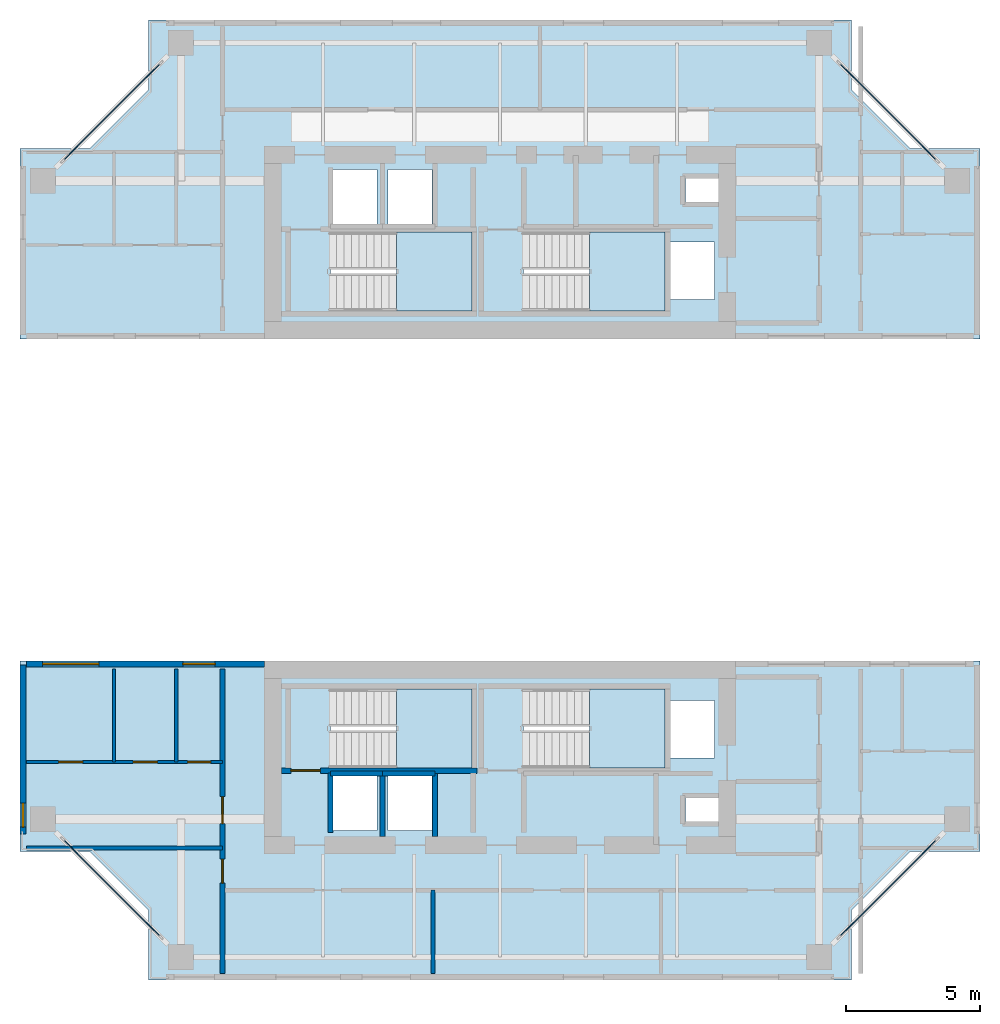
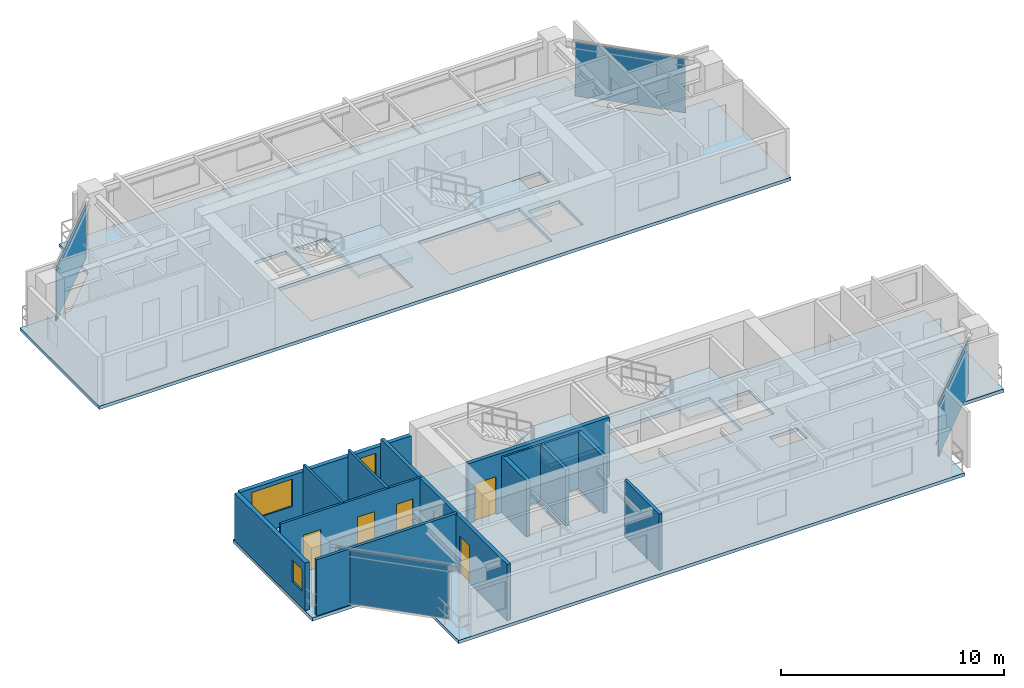
# One storey, part 6 of 12: 14 walls, 6 doors, 6 slabs, 4 plates, 3 windows, 9 openings, 8 elements without a shape of their own.
"""IFC4 building model written with IfcOpenShell, lengths in metres."""

from ifc_helpers import new_model, si_unit, direction, frame, frame_2d, origin, origin_2d, place, context, subcontext, project, spatial, polyline, rectangle, outline, extrude, source, transform, mapped, material, layer, layer_set, type_object, element, fill, aggregate, save


model = new_model("IFC4")

# Units and contexts
model_context = context("Model", 3, precision=1e-05, world=origin(), true_north=direction((0.0, 1.0)))
body_context = subcontext(model_context, "Body", "Model", "MODEL_VIEW")
ifc_project = project(units=[si_unit("LENGTHUNIT", "METRE"), si_unit("AREAUNIT", "SQUARE_METRE"), si_unit("VOLUMEUNIT", "CUBIC_METRE"), si_unit("PLANEANGLEUNIT", "RADIAN"), si_unit("MASSUNIT", "GRAM", prefix="KILO"), si_unit("THERMODYNAMICTEMPERATUREUNIT", "KELVIN"), si_unit("POWERUNIT", "WATT")], contexts=[model_context])

# Site, building, storey
site_placement = place(None, origin())
site = spatial("IfcSite", under=ifc_project, at=site_placement, CompositionType="ELEMENT")
building_placement = place(site_placement, origin())
building = spatial("IfcBuilding", under=site, at=building_placement, Name="Qiaomeng Ring Towers", CompositionType="ELEMENT")
storey_placement = place(building_placement, frame((0.0, 0.0, 156.75)))
storey = spatial("IfcBuildingStorey", under=building, at=storey_placement, Name="L45", CompositionType="ELEMENT", Elevation=156.75)

# Slabs
ifc_material_1 = material(Name="Concrete C40", Category="concrete")
ifc_layer_1 = layer(ifc_material_1, 0.179931640625, Name="Concrete C40")
ifc_layer_set_1 = layer_set([ifc_layer_1], Name="Concrete C40")
slab_type_1 = type_object("IfcSlabType", Name="STR-SL-180", PredefinedType="FLOOR", material=ifc_layer_set_1)
slab_1_placement = place(storey_placement, frame((0.0, 0.0, -0.179931640625)))
element("IfcSlab", 1, at=slab_1_placement, inside=storey, type_object=slab_type_1, Name="L45 Tower 1 North Portal Wing Slab", PredefinedType="FLOOR", context=body_context, shape_type="SweptSolid", body=[
    extrude(outline(polyline([(1.10009765625, 36.10009765625), (3.699951171875, 36.10009765625), (5.89990234375, 38.300048828125), (5.89990234375, 40.89990234375), (32.10009765625, 40.89990234375), (32.10009765625, 38.300048828125), (34.300048828125, 36.10009765625), (36.89990234375, 36.10009765625), (36.89990234375, 29.0), (1.10009765625, 29.0), (1.10009765625, 36.10009765625)]), holes=[polyline([(17.949951171875, 30.050048828125), (12.679931640625, 30.050048828125), (12.679931640625, 32.989990234375), (17.949951171875, 32.989990234375), (17.949951171875, 30.050048828125)]), polyline([(19.8798828125, 30.050048828125), (19.8798828125, 32.989990234375), (25.14990234375, 32.989990234375), (25.14990234375, 30.050048828125), (19.8798828125, 30.050048828125)]), polyline([(25.360107421875, 30.47998046875), (25.360107421875, 32.6201171875), (27.0, 32.6201171875), (27.0, 30.47998046875), (25.360107421875, 30.47998046875)]), polyline([(14.419921875, 33.179931640625), (12.780029296875, 33.179931640625), (12.780029296875, 35.320068359375), (14.419921875, 35.320068359375), (14.419921875, 33.179931640625)]), polyline([(14.830078125, 33.179931640625), (14.830078125, 35.320068359375), (16.469970703125, 35.320068359375), (16.469970703125, 33.179931640625), (14.830078125, 33.179931640625)]), polyline([(25.919921875, 34.10009765625), (25.919921875, 35.0), (27.360107421875, 35.0), (27.360107421875, 34.10009765625), (25.919921875, 34.10009765625)])]), origin(), (0.0, 0.0, 1.0), 0.179931640625),
])
slab_2_placement = place(storey_placement, frame((0.0, 0.0, -0.179931640625)))
element("IfcSlab", 2, at=slab_2_placement, inside=storey, type_object=slab_type_1, Name="L45 Tower 1 South Portal Wing Slab", PredefinedType="FLOOR", context=body_context, shape_type="SweptSolid", body=[
    extrude(outline(polyline([(36.89990234375, 9.89990234375), (34.300048828125, 9.89990234375), (32.10009765625, 7.699951171875), (32.10009765625, 5.10009765625), (5.89990234375, 5.10009765625), (5.89990234375, 7.699951171875), (3.699951171875, 9.89990234375), (1.10009765625, 9.89990234375), (1.10009765625, 17.0), (36.89990234375, 17.0), (36.89990234375, 9.89990234375)]), holes=[polyline([(27.360107421875, 11.0), (25.919921875, 11.0), (25.919921875, 11.89990234375), (27.360107421875, 11.89990234375), (27.360107421875, 11.0)]), polyline([(12.780029296875, 10.679931640625), (12.780029296875, 12.820068359375), (14.419921875, 12.820068359375), (14.419921875, 10.679931640625), (12.780029296875, 10.679931640625)]), polyline([(14.830078125, 10.679931640625), (14.830078125, 12.820068359375), (16.469970703125, 12.820068359375), (16.469970703125, 10.679931640625), (14.830078125, 10.679931640625)]), polyline([(27.0, 13.3798828125), (25.360107421875, 13.3798828125), (25.360107421875, 15.52001953125), (27.0, 15.52001953125), (27.0, 13.3798828125)]), polyline([(12.679931640625, 13.010009765625), (12.679931640625, 15.949951171875), (17.949951171875, 15.949951171875), (17.949951171875, 13.010009765625), (12.679931640625, 13.010009765625)]), polyline([(19.8798828125, 13.010009765625), (19.8798828125, 15.949951171875), (25.14990234375, 15.949951171875), (25.14990234375, 13.010009765625), (19.8798828125, 13.010009765625)])]), origin(), (0.0, 0.0, 1.0), 0.179931640625),
])

# Stair, slab
ifc_material_2 = material(Name="Precast concrete C40", Category="concrete")
stair_type = type_object("IfcStairType", Name="ARC-ST-325", PredefinedType="HALF_TURN_STAIR", material=ifc_material_2)
stair_1_placement = place(storey_placement, origin())
stair_1 = element("IfcStair", 3, at=stair_1_placement, inside=storey, type_object=stair_type, Name="L45 Tower 1 North Stair 1", PredefinedType="HALF_TURN_STAIR")
ifc_layer_2 = layer(ifc_material_1, 0.199951171875, Name="Concrete C40")
ifc_layer_set_2 = layer_set([ifc_layer_2], Name="Concrete C40")
slab_type_2 = type_object("IfcSlabType", Name="STR-SL-LANDING", PredefinedType="LANDING", material=ifc_layer_set_2)
slab_3_placement = place(storey_placement, frame((0.0, 0.0, 1.425048828125)))
slab_3 = element("IfcSlab", 4, at=slab_3_placement, type_object=slab_type_2, Name="ST1 landing 1", PredefinedType="LANDING", context=body_context, shape_type="SweptSolid", body=[
    extrude(outline(polyline([(15.139892578125, 30.050048828125), (17.949951171875, 30.050048828125), (17.949951171875, 32.989990234375), (15.139892578125, 32.989990234375), (15.139892578125, 30.050048828125)])), origin(), (0.0, 0.0, 1.0), 0.199951171875),
])
aggregate(stair_1, [slab_3])

stair_2_placement = place(storey_placement, origin())
stair_2 = element("IfcStair", 5, at=stair_2_placement, inside=storey, type_object=stair_type, Name="L45 Tower 1 North Stair 2", PredefinedType="HALF_TURN_STAIR")
slab_4_placement = place(storey_placement, frame((0.0, 0.0, 1.425048828125)))
slab_4 = element("IfcSlab", 6, at=slab_4_placement, type_object=slab_type_2, Name="ST2 landing 1", PredefinedType="LANDING", context=body_context, shape_type="SweptSolid", body=[
    extrude(outline(polyline([(22.340087890625, 30.050048828125), (25.14990234375, 30.050048828125), (25.14990234375, 32.989990234375), (22.340087890625, 32.989990234375), (22.340087890625, 30.050048828125)])), origin(), (0.0, 0.0, 1.0), 0.199951171875),
])
aggregate(stair_2, [slab_4])

stair_3_placement = place(storey_placement, origin())
stair_3 = element("IfcStair", 7, at=stair_3_placement, inside=storey, type_object=stair_type, Name="L45 Tower 1 South Stair 3", PredefinedType="HALF_TURN_STAIR")
slab_5_placement = place(storey_placement, frame((0.0, 0.0, 1.425048828125)))
slab_5 = element("IfcSlab", 8, at=slab_5_placement, type_object=slab_type_2, Name="ST3 landing 1", PredefinedType="LANDING", context=body_context, shape_type="SweptSolid", body=[
    extrude(outline(polyline([(15.139892578125, 13.010009765625), (17.949951171875, 13.010009765625), (17.949951171875, 15.949951171875), (15.139892578125, 15.949951171875), (15.139892578125, 13.010009765625)])), origin(), (0.0, 0.0, 1.0), 0.199951171875),
])
aggregate(stair_3, [slab_5])

stair_4_placement = place(storey_placement, origin())
stair_4 = element("IfcStair", 9, at=stair_4_placement, inside=storey, type_object=stair_type, Name="L45 Tower 1 South Stair 4", PredefinedType="HALF_TURN_STAIR")
slab_6_placement = place(storey_placement, frame((0.0, 0.0, 1.425048828125)))
slab_6 = element("IfcSlab", 10, at=slab_6_placement, type_object=slab_type_2, Name="ST4 landing 1", PredefinedType="LANDING", context=body_context, shape_type="SweptSolid", body=[
    extrude(outline(polyline([(22.340087890625, 13.010009765625), (25.14990234375, 13.010009765625), (25.14990234375, 15.949951171875), (22.340087890625, 15.949951171875), (22.340087890625, 13.010009765625)])), origin(), (0.0, 0.0, 1.0), 0.199951171875),
])
aggregate(stair_4, [slab_6])

# Curtain wall, plate
ifc_material_3 = material(Name="Fluorocarbon dark-grey aluminium", Category="aluminium")
ifc_layer_3 = layer(ifc_material_3, 0.14990234375, Name="Fluorocarbon dark-grey aluminium")
ifc_layer_set_3 = layer_set([ifc_layer_3], Name="Fluorocarbon dark-grey aluminium")
curtain_wall_type = type_object("IfcCurtainWallType", Name="ARC-CW-3", PredefinedType="NOTDEFINED", material=ifc_layer_set_3)
curtain_wall_1_placement = place(storey_placement, origin())
curtain_wall_1 = element("IfcCurtainWall", 11, at=curtain_wall_1_placement, inside=storey, type_object=curtain_wall_type, Name="L45 Curtain Wall CW3", PredefinedType="NOTDEFINED")
ifc_material_4 = material(Name="Low-E dark-grey laminated double glazing", Category="glass")
ifc_layer_4 = layer(ifc_material_4, 0.028076171875, Name="Low-E dark-grey laminated double glazing")
ifc_layer_set_4 = layer_set([ifc_layer_4], Name="Low-E dark-grey laminated double glazing")
plate_type = type_object("IfcPlateType", Name="ARC-CWP-DARK", PredefinedType="CURTAIN_PANEL", material=ifc_layer_set_4)
shared_shape_1 = source(origin(), body_context, "Body", "SweptSolid", [
    extrude(rectangle(XDim=5.120849609375, YDim=0.028076171875, at=origin_2d()), origin(), (0.0, 0.0, 1.0), 2.93994140625),
])
plate_1_placement = place(storey_placement, frame((33.47509765625, 8.52490234375, 0.06494140625), z_axis=(0.0, 0.0, 1.0), x_axis=(0.707106781187, 0.707106781187, 0.0)))
plate_1 = element("IfcPlate", 12, at=plate_1_placement, type_object=plate_type, Name="CW3 panel 1.1", PredefinedType="CURTAIN_PANEL", context=body_context, shape_type="MappedRepresentation", body=[
    mapped(shared_shape_1, transform((0.0, 0.0, 0.0), x_axis=(1.0, 0.0, 0.0), y_axis=(0.0, 1.0, 0.0), z_axis=(0.0, 0.0, 1.0), scale=1.0)),
])
aggregate(curtain_wall_1, [plate_1])

curtain_wall_2_placement = place(storey_placement, origin())
curtain_wall_2 = element("IfcCurtainWall", 13, at=curtain_wall_2_placement, inside=storey, type_object=curtain_wall_type, Name="L45 Curtain Wall CW3", PredefinedType="NOTDEFINED")
plate_2_placement = place(storey_placement, frame((33.47509765625, 37.47509765625, 0.06494140625), z_axis=(0.0, 0.0, 1.0), x_axis=(-0.707106781187, 0.707106781187, 0.0)))
plate_2 = element("IfcPlate", 14, at=plate_2_placement, type_object=plate_type, Name="CW3 panel 1.1", PredefinedType="CURTAIN_PANEL", context=body_context, shape_type="MappedRepresentation", body=[
    mapped(shared_shape_1, transform((0.0, 0.0, 0.0), x_axis=(1.0, 0.0, 0.0), y_axis=(0.0, 1.0, 0.0), z_axis=(0.0, 0.0, 1.0), scale=1.0)),
])
aggregate(curtain_wall_2, [plate_2])

curtain_wall_3_placement = place(storey_placement, origin())
curtain_wall_3 = element("IfcCurtainWall", 15, at=curtain_wall_3_placement, inside=storey, type_object=curtain_wall_type, Name="L45 Curtain Wall CW3", PredefinedType="NOTDEFINED")
plate_3_placement = place(storey_placement, frame((4.52490234375, 37.47509765625, 0.06494140625), z_axis=(0.0, 0.0, 1.0), x_axis=(-0.707106781187, -0.707106781187, 0.0)))
plate_3 = element("IfcPlate", 16, at=plate_3_placement, type_object=plate_type, Name="CW3 panel 1.1", PredefinedType="CURTAIN_PANEL", context=body_context, shape_type="MappedRepresentation", body=[
    mapped(shared_shape_1, transform((0.0, 0.0, 0.0), x_axis=(1.0, 0.0, 0.0), y_axis=(0.0, 1.0, 0.0), z_axis=(0.0, 0.0, 1.0), scale=1.0)),
])
aggregate(curtain_wall_3, [plate_3])

curtain_wall_4_placement = place(storey_placement, origin())
curtain_wall_4 = element("IfcCurtainWall", 17, at=curtain_wall_4_placement, inside=storey, type_object=curtain_wall_type, Name="L45 Curtain Wall CW3", PredefinedType="NOTDEFINED")
plate_4_placement = place(storey_placement, frame((4.52490234375, 8.52490234375, 0.06494140625), z_axis=(0.0, 0.0, 1.0), x_axis=(0.707106781187, -0.707106781187, 0.0)))
plate_4 = element("IfcPlate", 18, at=plate_4_placement, type_object=plate_type, Name="CW3 panel 1.1", PredefinedType="CURTAIN_PANEL", context=body_context, shape_type="MappedRepresentation", body=[
    mapped(shared_shape_1, transform((0.0, 0.0, 0.0), x_axis=(1.0, 0.0, 0.0), y_axis=(0.0, 1.0, 0.0), z_axis=(0.0, 0.0, 1.0), scale=1.0)),
])
aggregate(curtain_wall_4, [plate_4])

# Wall, openings, windows
ifc_layer_5 = layer(ifc_material_2, 0.219970703125, Name="Precast concrete C40")
ifc_layer_set_5 = layer_set([ifc_layer_5], Name="Precast concrete C40")
wall_type_1 = type_object("IfcWallType", Name="ARC-WL-EW2", PredefinedType="STANDARD", material=ifc_layer_set_5)
wall_1_placement = place(storey_placement, frame((1.35009765625, 16.889892578125, 0.0), z_axis=(0.0, 0.0, 1.0), x_axis=(1.0, 0.0, 0.0)))
wall_1 = element("IfcWall", 19, at=wall_1_placement, inside=storey, type_object=wall_type_1, Name="L45 Portal Wing Wall SWING-W", PredefinedType="STANDARD", context=body_context, shape_type="SweptSolid", body=[
    extrude(rectangle(XDim=8.869873046875, YDim=0.219970703125, at=frame_2d((4.43505859375, 0.0))), origin(), (0.0, 0.0, 1.0), 2.610107421875),
])
opening_1_placement = place(wall_1_placement, frame((0.594970703125, 0.0, 0.89990234375)))
opening_1 = element("IfcOpeningElement", 20, at=opening_1_placement, cuts=wall_1, Name="Opening WN4", PredefinedType="OPENING", context=body_context, shape_type="SweptSolid", body=[
    extrude(rectangle(XDim=2.10009765625, YDim=1.5, at=frame_2d((1.050048828125, 0.75))), frame((0.0, 0.119873046875, 0.0), z_axis=(0.0, -1.0, 0.0), x_axis=(1.0, 0.0, 0.0)), (0.0, 0.0, 1.0), 0.239990234375),
])
opening_2_placement = place(wall_1_placement, frame((5.824951171875, 0.0, 0.89990234375)))
opening_2 = element("IfcOpeningElement", 21, at=opening_2_placement, cuts=wall_1, Name="Opening WN3", PredefinedType="OPENING", context=body_context, shape_type="SweptSolid", body=[
    extrude(rectangle(XDim=1.199951171875, YDim=1.39990234375, at=frame_2d((0.60009765625, 0.699951171875))), frame((0.0, 0.119873046875, 0.0), z_axis=(0.0, -1.0, 0.0), x_axis=(1.0, 0.0, 0.0)), (0.0, 0.0, 1.0), 0.239990234375),
])
window_type_1 = type_object("IfcWindowType", Name="ARC-WN-4", PartitioningType="TRIPLE_PANEL_VERTICAL", PredefinedType="WINDOW", material=ifc_material_4)
shared_shape_2 = source(origin(), body_context, "Body", "SweptSolid", [
    extrude(rectangle(XDim=2.10009765625, YDim=1.5, at=frame_2d((1.050048828125, 0.75))), frame((0.0, 0.030029296875, 0.0), z_axis=(0.0, -1.0, 0.0), x_axis=(1.0, 0.0, 0.0)), (0.0, 0.0, 1.0), 0.06005859375),
])
window_1_placement = place(opening_1_placement, origin())
window_1 = element("IfcWindow", 22, at=window_1_placement, inside=storey, type_object=window_type_1, Name="L45 Exterior Window WN4", OverallHeight=1.5, OverallWidth=2.10009765625, PartitioningType="TRIPLE_PANEL_VERTICAL", PredefinedType="WINDOW", context=body_context, shape_type="MappedRepresentation", body=[
    mapped(shared_shape_2, transform((0.0, 0.0, 0.0), x_axis=(1.0, 0.0, 0.0), y_axis=(0.0, 1.0, 0.0), z_axis=(0.0, 0.0, 1.0), scale=1.0)),
])
fill(opening_1, window_1)
window_type_2 = type_object("IfcWindowType", Name="ARC-WN-3", PartitioningType="SINGLE_PANEL", PredefinedType="WINDOW", material=ifc_material_4)
shared_shape_3 = source(origin(), body_context, "Body", "SweptSolid", [
    extrude(rectangle(XDim=1.199951171875, YDim=1.39990234375, at=frame_2d((0.60009765625, 0.699951171875))), frame((0.0, 0.030029296875, 0.0), z_axis=(0.0, -1.0, 0.0), x_axis=(1.0, 0.0, 0.0)), (0.0, 0.0, 1.0), 0.06005859375),
])
window_2_placement = place(opening_2_placement, origin())
window_2 = element("IfcWindow", 23, at=window_2_placement, inside=storey, type_object=window_type_2, Name="L45 Exterior Window WN6", OverallHeight=1.39990234375, OverallWidth=1.199951171875, PartitioningType="TRIPLE_PANEL_VERTICAL", PredefinedType="WINDOW", context=body_context, shape_type="MappedRepresentation", body=[
    mapped(shared_shape_3, transform((0.0, 0.0, 0.0), x_axis=(1.0, 0.0, 0.0), y_axis=(0.0, 1.0, 0.0), z_axis=(0.0, 0.0, 1.0), scale=1.0)),
])
fill(opening_2, window_2)

# Wall, opening, window
wall_2_placement = place(storey_placement, frame((1.2099609375, 10.550048828125, 0.0), z_axis=(0.0, 0.0, 1.0), x_axis=(0.0, 1.0, 0.0)))
wall_2 = element("IfcWall", 24, at=wall_2_placement, inside=storey, type_object=wall_type_1, Name="L45 Portal Wing Side Wall SWING-WL", PredefinedType="STANDARD", context=body_context, shape_type="SweptSolid", body=[
    extrude(rectangle(XDim=6.300048828125, YDim=0.219970703125, at=frame_2d((3.14990234375, 0.0))), origin(), (0.0, 0.0, 1.0), 2.610107421875),
])
opening_3_placement = place(wall_2_placement, frame((0.25, 0.0, 0.89990234375)))
opening_3 = element("IfcOpeningElement", 25, at=opening_3_placement, cuts=wall_2, Name="Opening WN5", PredefinedType="OPENING", context=body_context, shape_type="SweptSolid", body=[
    extrude(rectangle(XDim=0.89990234375, YDim=1.199951171875, at=frame_2d((0.449951171875, 0.60009765625))), frame((0.0, 0.119873046875, 0.0), z_axis=(0.0, -1.0, 0.0), x_axis=(1.0, 0.0, 0.0)), (0.0, 0.0, 1.0), 0.239990234375),
])
window_type_3 = type_object("IfcWindowType", Name="ARC-WN-5", PartitioningType="SINGLE_PANEL", PredefinedType="WINDOW", material=ifc_material_4)
shared_shape_4 = source(origin(), body_context, "Body", "SweptSolid", [
    extrude(rectangle(XDim=0.89990234375, YDim=1.199951171875, at=frame_2d((0.449951171875, 0.60009765625))), frame((0.0, 0.030029296875, 0.0), z_axis=(0.0, -1.0, 0.0), x_axis=(1.0, 0.0, 0.0)), (0.0, 0.0, 1.0), 0.06005859375),
])
window_3_placement = place(opening_3_placement, origin())
window_3 = element("IfcWindow", 26, at=window_3_placement, inside=storey, type_object=window_type_3, Name="L45 Exterior Window WN5", OverallHeight=1.199951171875, OverallWidth=0.89990234375, PartitioningType="SINGLE_PANEL", PredefinedType="WINDOW", context=body_context, shape_type="MappedRepresentation", body=[
    mapped(shared_shape_4, transform((0.0, 0.0, 0.0), x_axis=(1.0, 0.0, 0.0), y_axis=(0.0, 1.0, 0.0), z_axis=(0.0, 0.0, 1.0), scale=1.0)),
])
fill(opening_3, window_3)

# Wall
ifc_material_5 = material(Name="Autoclaved aerated concrete block", Category="concrete")
ifc_layer_6 = layer(ifc_material_5, 0.199951171875, Name="Autoclaved aerated concrete block")
ifc_layer_set_6 = layer_set([ifc_layer_6], Name="Autoclaved aerated concrete block")
wall_type_2 = type_object("IfcWallType", Name="ARC-WL-PW1", PredefinedType="PARTITIONING", material=ifc_layer_set_6)
wall_3_placement = place(storey_placement, frame((12.679931640625, 10.60009765625, 0.0), z_axis=(0.0, 0.0, 1.0), x_axis=(0.0, 1.0, 0.0)))
element("IfcWall", 27, at=wall_3_placement, inside=storey, type_object=wall_type_2, Name="L45 Interior Wall PW1", PredefinedType="PARTITIONING", context=body_context, shape_type="SweptSolid", body=[
    extrude(rectangle(XDim=2.2099609375, YDim=0.199951171875, at=frame_2d((1.10498046875, 0.0))), origin(), (0.0, 0.0, 1.0), 3.070068359375),
])

# Wall, openings, doors
ifc_layer_7 = layer(ifc_material_5, 0.179931640625, Name="Autoclaved aerated concrete block")
ifc_layer_set_7 = layer_set([ifc_layer_7], Name="Autoclaved aerated concrete block")
wall_type_3 = type_object("IfcWallType", Name="ARC-WL-PW2", PredefinedType="PARTITIONING", material=ifc_layer_set_7)
wall_4_placement = place(storey_placement, frame((8.64990234375, 5.35009765625, 0.0), z_axis=(0.0, 0.0, 1.0), x_axis=(0.0, 1.0, 0.0)))
wall_4 = element("IfcWall", 28, at=wall_4_placement, inside=storey, type_object=wall_type_3, Name="L45 Interior Wall PW2", PredefinedType="PARTITIONING", context=body_context, shape_type="SweptSolid", body=[
    extrude(rectangle(XDim=11.349853515625, YDim=0.179931640625, at=frame_2d((5.6748046875, 0.0))), origin(), (0.0, 0.0, 1.0), 3.070068359375),
])
opening_4_placement = place(wall_4_placement, frame((3.360107421875, 0.0, 0.0)))
opening_4 = element("IfcOpeningElement", 29, at=opening_4_placement, cuts=wall_4, Name="Opening ID1", PredefinedType="OPENING", context=body_context, shape_type="SweptSolid", body=[
    extrude(rectangle(XDim=0.89990234375, YDim=2.050048828125, at=frame_2d((0.449951171875, 1.02490234375))), frame((0.0, 0.099853515625, 0.0), z_axis=(0.0, -1.0, 0.0), x_axis=(1.0, 0.0, 0.0)), (0.0, 0.0, 1.0), 0.199951171875),
])
opening_5_placement = place(wall_4_placement, frame((5.5849609375, 0.0, 0.0)))
opening_5 = element("IfcOpeningElement", 30, at=opening_5_placement, cuts=wall_4, Name="Opening FD4", PredefinedType="OPENING", context=body_context, shape_type="SweptSolid", body=[
    extrude(rectangle(XDim=1.0, YDim=2.050048828125, at=frame_2d((0.5, 1.02490234375))), frame((0.0, 0.099853515625, 0.0), z_axis=(0.0, -1.0, 0.0), x_axis=(1.0, 0.0, 0.0)), (0.0, 0.0, 1.0), 0.199951171875),
])
ifc_material_6 = material(Name="Engineered fire-rated oak timber", Category="wood")
door_type_1 = type_object("IfcDoorType", Name="ARC-DR-FD4", OperationType="NOTDEFINED", PredefinedType="DOOR", material=ifc_material_6)
shared_shape_5 = source(origin(), body_context, "Body", "SweptSolid", [
    extrude(rectangle(XDim=1.0, YDim=2.050048828125, at=frame_2d((0.5, 1.02490234375))), frame((0.0, 0.02490234375, 0.0), z_axis=(0.0, -1.0, 0.0), x_axis=(1.0, 0.0, 0.0)), (0.0, 0.0, 1.0), 0.050048828125),
])
door_1_placement = place(opening_5_placement, origin())
door_1 = element("IfcDoor", 31, at=door_1_placement, inside=storey, type_object=door_type_1, Name="L45 Door FD4", OperationType="SINGLE_SWING_RIGHT", OverallHeight=2.050048828125, OverallWidth=1.0, PredefinedType="DOOR", context=body_context, shape_type="MappedRepresentation", body=[
    mapped(shared_shape_5, transform((0.0, 0.0, 0.0), x_axis=(1.0, 0.0, 0.0), y_axis=(0.0, 1.0, 0.0), z_axis=(0.0, 0.0, 1.0), scale=1.0)),
])
fill(opening_5, door_1)
ifc_material_7 = material(Name="Engineered oak timber", Category="wood")
door_type_2 = type_object("IfcDoorType", Name="ARC-DR-ID1", OperationType="NOTDEFINED", PredefinedType="DOOR", material=ifc_material_7)
shared_shape_6 = source(origin(), body_context, "Body", "SweptSolid", [
    extrude(rectangle(XDim=0.89990234375, YDim=2.050048828125, at=frame_2d((0.449951171875, 1.02490234375))), frame((0.0, 0.02490234375, 0.0), z_axis=(0.0, -1.0, 0.0), x_axis=(1.0, 0.0, 0.0)), (0.0, 0.0, 1.0), 0.050048828125),
])
door_2_placement = place(opening_4_placement, origin())
door_2 = element("IfcDoor", 32, at=door_2_placement, inside=storey, type_object=door_type_2, Name="L45 Door ID1", OperationType="SINGLE_SWING_LEFT", OverallHeight=2.050048828125, OverallWidth=0.89990234375, PredefinedType="DOOR", context=body_context, shape_type="MappedRepresentation", body=[
    mapped(shared_shape_6, transform((0.0, 0.0, 0.0), x_axis=(1.0, 0.0, 0.0), y_axis=(0.0, 1.0, 0.0), z_axis=(0.0, 0.0, 1.0), scale=1.0)),
])
fill(opening_4, door_2)

# Walls
ifc_material_8 = material(Name="Gypsum fireboard steel-stud partition", Category="steel")
ifc_layer_8 = layer(ifc_material_8, 0.14990234375, Name="Gypsum fireboard steel-stud partition")
ifc_layer_set_8 = layer_set([ifc_layer_8], Name="Gypsum fireboard steel-stud partition")
wall_type_4 = type_object("IfcWallType", Name="ARC-WL-PW3", PredefinedType="PARTITIONING", material=ifc_layer_set_8)
wall_5_placement = place(storey_placement, frame((1.35009765625, 10.02001953125, 0.0), z_axis=(0.0, 0.0, 1.0), x_axis=(1.0, 0.0, 0.0)))
element("IfcWall", 33, at=wall_5_placement, inside=storey, type_object=wall_type_4, Name="L45 Interior Wall PW3", PredefinedType="PARTITIONING", context=body_context, shape_type="SweptSolid", body=[
    extrude(rectangle(XDim=7.2998046875, YDim=0.14990234375, at=frame_2d((3.64990234375, 0.0))), origin(), (0.0, 0.0, 1.0), 3.070068359375),
])
wall_6_placement = place(storey_placement, frame((16.5, 5.35009765625, 0.0), z_axis=(0.0, 0.0, 1.0), x_axis=(0.0, 1.0, 0.0)))
element("IfcWall", 34, at=wall_6_placement, inside=storey, type_object=wall_type_4, Name="L45 Interior Wall PW3", PredefinedType="PARTITIONING", context=body_context, shape_type="SweptSolid", body=[
    extrude(rectangle(XDim=3.099853515625, YDim=0.14990234375, at=frame_2d((1.5498046875, 0.0))), origin(), (0.0, 0.0, 1.0), 3.070068359375),
])

# Wall, openings, doors
ifc_material_9 = material(Name="Moisture-resistant gypsum steel-stud partition", Category="steel")
ifc_layer_9 = layer(ifc_material_9, 0.1201171875, Name="Moisture-resistant gypsum steel-stud partition")
ifc_layer_set_9 = layer_set([ifc_layer_9], Name="Moisture-resistant gypsum steel-stud partition")
wall_type_5 = type_object("IfcWallType", Name="ARC-WL-PW4", PredefinedType="PLUMBINGWALL", material=ifc_layer_set_9)
wall_7_placement = place(storey_placement, frame((1.35009765625, 13.22998046875, 0.0), z_axis=(0.0, 0.0, 1.0), x_axis=(1.0, 0.0, 0.0)))
wall_7 = element("IfcWall", 35, at=wall_7_placement, inside=storey, type_object=wall_type_5, Name="L45 Interior Wall PW4", PredefinedType="PLUMBINGWALL", context=body_context, shape_type="SweptSolid", body=[
    extrude(rectangle(XDim=7.2998046875, YDim=0.1201171875, at=frame_2d((3.64990234375, 0.0))), origin(), (0.0, 0.0, 1.0), 3.070068359375),
])
opening_6_placement = place(wall_7_placement, frame((1.18994140625, 0.0, 0.0)))
opening_6 = element("IfcOpeningElement", 36, at=opening_6_placement, cuts=wall_7, Name="Opening ID1", PredefinedType="OPENING", context=body_context, shape_type="SweptSolid", body=[
    extrude(rectangle(XDim=0.89990234375, YDim=2.050048828125, at=frame_2d((0.449951171875, 1.02490234375))), frame((0.0, 0.070068359375, 0.0), z_axis=(0.0, -1.0, 0.0), x_axis=(1.0, 0.0, 0.0)), (0.0, 0.0, 1.0), 0.14013671875),
])
opening_7_placement = place(wall_7_placement, frame((3.969970703125, 0.0, 0.0)))
opening_7 = element("IfcOpeningElement", 37, at=opening_7_placement, cuts=wall_7, Name="Opening ID1", PredefinedType="OPENING", context=body_context, shape_type="SweptSolid", body=[
    extrude(rectangle(XDim=0.89990234375, YDim=2.050048828125, at=frame_2d((0.449951171875, 1.02490234375))), frame((0.0, 0.070068359375, 0.0), z_axis=(0.0, -1.0, 0.0), x_axis=(1.0, 0.0, 0.0)), (0.0, 0.0, 1.0), 0.14013671875),
])
opening_8_placement = place(wall_7_placement, frame((6.0048828125, 0.0, 0.0)))
opening_8 = element("IfcOpeningElement", 38, at=opening_8_placement, cuts=wall_7, Name="Opening ID2", PredefinedType="OPENING", context=body_context, shape_type="SweptSolid", body=[
    extrude(rectangle(XDim=0.85009765625, YDim=2.050048828125, at=frame_2d((0.425048828125, 1.02490234375))), frame((0.0, 0.070068359375, 0.0), z_axis=(0.0, -1.0, 0.0), x_axis=(1.0, 0.0, 0.0)), (0.0, 0.0, 1.0), 0.14013671875),
])
ifc_material_10 = material(Name="Moisture-resistant engineered timber", Category="wood")
door_type_3 = type_object("IfcDoorType", Name="ARC-DR-ID2", OperationType="NOTDEFINED", PredefinedType="DOOR", material=ifc_material_10)
shared_shape_7 = source(origin(), body_context, "Body", "SweptSolid", [
    extrude(rectangle(XDim=0.85009765625, YDim=2.050048828125, at=frame_2d((0.425048828125, 1.02490234375))), frame((0.0, 0.02490234375, 0.0), z_axis=(0.0, -1.0, 0.0), x_axis=(1.0, 0.0, 0.0)), (0.0, 0.0, 1.0), 0.050048828125),
])
door_3_placement = place(opening_8_placement, origin())
door_3 = element("IfcDoor", 39, at=door_3_placement, inside=storey, type_object=door_type_3, Name="L45 Door ID2", OperationType="SINGLE_SWING_RIGHT", OverallHeight=2.050048828125, OverallWidth=0.85009765625, PredefinedType="DOOR", context=body_context, shape_type="MappedRepresentation", body=[
    mapped(shared_shape_7, transform((0.0, 0.0, 0.0), x_axis=(1.0, 0.0, 0.0), y_axis=(0.0, 1.0, 0.0), z_axis=(0.0, 0.0, 1.0), scale=1.0)),
])
fill(opening_8, door_3)
door_4_placement = place(opening_6_placement, origin())
door_4 = element("IfcDoor", 40, at=door_4_placement, inside=storey, type_object=door_type_2, Name="L45 Door ID1", OperationType="SINGLE_SWING_RIGHT", OverallHeight=2.050048828125, OverallWidth=0.89990234375, PredefinedType="DOOR", context=body_context, shape_type="MappedRepresentation", body=[
    mapped(shared_shape_6, transform((0.0, 0.0, 0.0), x_axis=(1.0, 0.0, 0.0), y_axis=(0.0, 1.0, 0.0), z_axis=(0.0, 0.0, 1.0), scale=1.0)),
])
fill(opening_6, door_4)
door_5_placement = place(opening_7_placement, origin())
door_5 = element("IfcDoor", 41, at=door_5_placement, inside=storey, type_object=door_type_2, Name="L45 Door ID1", OperationType="SINGLE_SWING_LEFT", OverallHeight=2.050048828125, OverallWidth=0.89990234375, PredefinedType="DOOR", context=body_context, shape_type="MappedRepresentation", body=[
    mapped(shared_shape_6, transform((0.0, 0.0, 0.0), x_axis=(1.0, 0.0, 0.0), y_axis=(0.0, 1.0, 0.0), z_axis=(0.0, 0.0, 1.0), scale=1.0)),
])
fill(opening_7, door_5)

# Walls
for number, where, z_axis, x_axis, name in (
    (42, (4.610107421875, 13.22998046875, 0.0), (0.0, 0.0, 1.0), (0.0, 1.0, 0.0), "L45 Interior Wall PW4"),
    (43, (6.929931640625, 13.22998046875, 0.0), (0.0, 0.0, 1.0), (0.0, 1.0, 0.0), "L45 Interior Wall PW4"),
):
    element("IfcWall", number, at=place(storey_placement, frame(where, z_axis=z_axis, x_axis=x_axis)), inside=storey, type_object=wall_type_5, Name=name, PredefinedType="PLUMBINGWALL", context=body_context, shape_type="SweptSolid", body=[
        extrude(rectangle(XDim=3.469970703125, YDim=0.1201171875, at=frame_2d((1.73486328125, 0.0))), origin(), (0.0, 0.0, 1.0), 3.070068359375),
    ])
ifc_layer_10 = layer(ifc_material_1, 0.199951171875, Name="Concrete C40")
ifc_layer_set_10 = layer_set([ifc_layer_10], Name="Concrete C40")
wall_type_6 = type_object("IfcWallType", Name="STR-WL-STSHAFT", PredefinedType="SHEAR", material=ifc_layer_set_10)
wall_8_placement = place(storey_placement, frame((12.679931640625, 12.800048828125, 0.0), z_axis=(0.0, 0.0, 1.0), x_axis=(1.0, 0.0, 0.0)))
element("IfcWall", 44, at=wall_8_placement, inside=storey, type_object=wall_type_6, Name="L45 Lift LP6 Shaft Back Wall", PredefinedType="SHEAR", context=body_context, shape_type="SweptSolid", body=[
    extrude(rectangle(XDim=1.940185546875, YDim=0.179931640625, at=frame_2d((0.97021484375, 0.0))), origin(), (0.0, 0.0, 1.0), 3.070068359375),
])
wall_9_placement = place(storey_placement, frame((14.6201171875, 10.449951171875, 0.0), z_axis=(0.0, 0.0, 1.0), x_axis=(0.0, 1.0, 0.0)))
element("IfcWall", 45, at=wall_9_placement, inside=storey, type_object=wall_type_6, Name="L45 Lift LP6-LP4 Shaft Divider Wall", PredefinedType="SHEAR", context=body_context, shape_type="SweptSolid", body=[
    extrude(rectangle(XDim=2.35009765625, YDim=0.179931640625, at=frame_2d((1.175048828125, 0.0))), origin(), (0.0, 0.0, 1.0), 3.070068359375),
])
wall_10_placement = place(storey_placement, frame((14.6201171875, 12.800048828125, 0.0), z_axis=(0.0, 0.0, 1.0), x_axis=(1.0, 0.0, 0.0)))
element("IfcWall", 46, at=wall_10_placement, inside=storey, type_object=wall_type_6, Name="L45 Lift LP4 Shaft Back Wall", PredefinedType="SHEAR", context=body_context, shape_type="SweptSolid", body=[
    extrude(rectangle(XDim=1.9599609375, YDim=0.179931640625, at=frame_2d((0.97998046875, 0.0))), origin(), (0.0, 0.0, 1.0), 3.070068359375),
])
wall_11_placement = place(storey_placement, frame((16.580078125, 10.449951171875, 0.0), z_axis=(0.0, 0.0, 1.0), x_axis=(0.0, 1.0, 0.0)))
element("IfcWall", 47, at=wall_11_placement, inside=storey, type_object=wall_type_6, Name="L45 Lift LP4 East Shaft Wall", PredefinedType="SHEAR", context=body_context, shape_type="SweptSolid", body=[
    extrude(rectangle(XDim=2.35009765625, YDim=0.179931640625, at=frame_2d((1.175048828125, 0.0))), origin(), (0.0, 0.0, 1.0), 3.070068359375),
])

# Wall, opening, door
wall_12_placement = place(storey_placement, frame((10.85009765625, 12.909912109375, 0.0), z_axis=(0.0, 0.0, 1.0), x_axis=(1.0, 0.0, 0.0)))
wall_12 = element("IfcWall", 48, at=wall_12_placement, inside=storey, type_object=wall_type_6, Name="L45 Stair ST3 South Shaft Shear Wall", PredefinedType="SHEAR", context=body_context, shape_type="SweptSolid", body=[
    extrude(rectangle(XDim=7.2998046875, YDim=0.199951171875, at=frame_2d((3.64990234375, 0.0))), origin(), (0.0, 0.0, 1.0), 3.25),
])
opening_9_placement = place(wall_12_placement, frame((0.35009765625, 0.0, 0.0)))
opening_9 = element("IfcOpeningElement", 49, at=opening_9_placement, cuts=wall_12, Name="Opening FD3", PredefinedType="OPENING", context=body_context, shape_type="SweptSolid", body=[
    extrude(rectangle(XDim=1.10009765625, YDim=2.050048828125, at=frame_2d((0.550048828125, 1.02490234375))), frame((0.0, 0.10986328125, 0.0), z_axis=(0.0, -1.0, 0.0), x_axis=(1.0, 0.0, 0.0)), (0.0, 0.0, 1.0), 0.219970703125),
])
ifc_material_11 = material(Name="Galvanised steel", Category="steel")
door_type_4 = type_object("IfcDoorType", Name="ARC-DR-FD3", OperationType="NOTDEFINED", PredefinedType="DOOR", material=ifc_material_11)
shared_shape_8 = source(origin(), body_context, "Body", "SweptSolid", [
    extrude(rectangle(XDim=1.10009765625, YDim=2.050048828125, at=frame_2d((0.550048828125, 1.02490234375))), frame((0.0, 0.02490234375, 0.0), z_axis=(0.0, -1.0, 0.0), x_axis=(1.0, 0.0, 0.0)), (0.0, 0.0, 1.0), 0.050048828125),
])
door_6_placement = place(opening_9_placement, frame((1.10009765625, 0.0, 0.0), z_axis=(0.0, 0.0, 1.0), x_axis=(-1.0, 0.0, 0.0)))
door_6 = element("IfcDoor", 50, at=door_6_placement, inside=storey, type_object=door_type_4, Name="L45 Stair ST3 Exit Door", OperationType="SINGLE_SWING_LEFT", OverallHeight=2.050048828125, OverallWidth=1.10009765625, PredefinedType="DOOR", context=body_context, shape_type="MappedRepresentation", body=[
    mapped(shared_shape_8, transform((0.0, 0.0, 0.0), x_axis=(1.0, 0.0, 0.0), y_axis=(0.0, 1.0, 0.0), z_axis=(0.0, 0.0, 1.0), scale=1.0)),
])
fill(opening_9, door_6)

save(model, "model.ifc")
